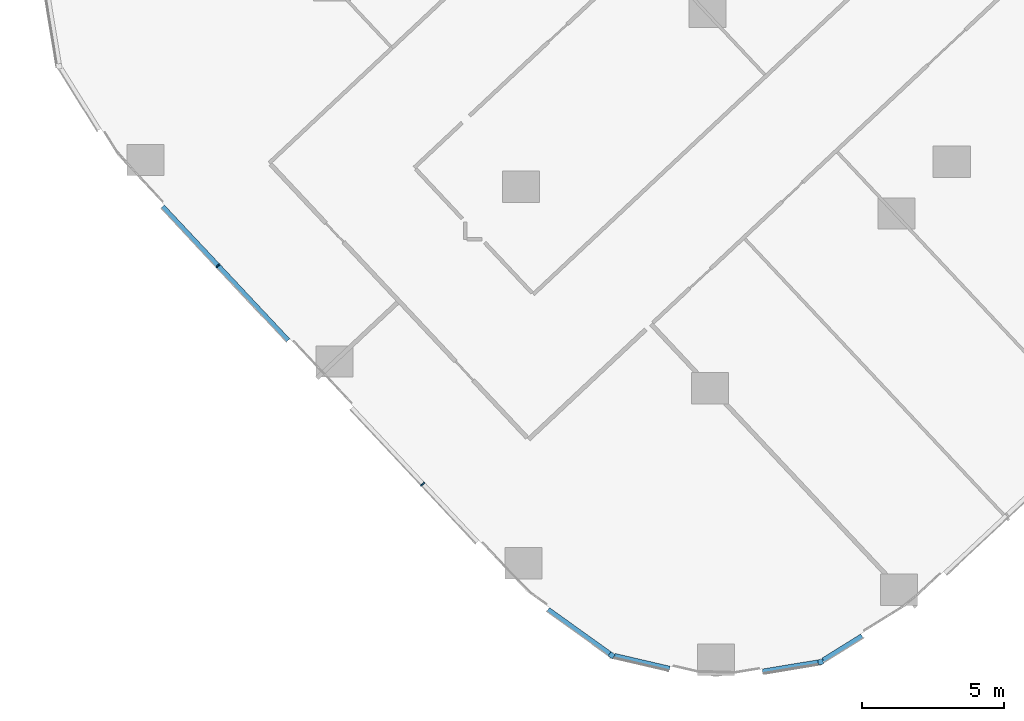
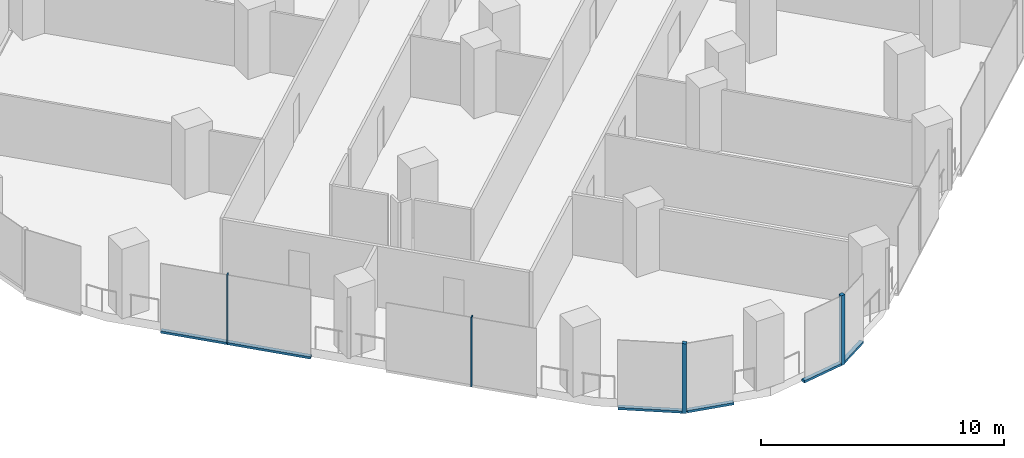
# One storey, part 2 of 34: 9 members, 5 elements without a shape of their own.
"""IFC4 building model written with IfcOpenShell, lengths in metres."""

from ifc_helpers import new_model, si_unit, direction, frame, origin, origin_2d, place, context, subcontext, project, spatial, rectangle, extrude, material, material_profile, profile_set, type_object, element, aggregate, save


model = new_model("IFC4")

# Units and contexts
model_context = context("Model", 3, precision=1e-05, world=origin(), true_north=direction((0.0, 1.0)))
body_context = subcontext(model_context, "Body", "Model", "MODEL_VIEW")
ifc_project = project(units=[si_unit("LENGTHUNIT", "METRE"), si_unit("AREAUNIT", "SQUARE_METRE"), si_unit("VOLUMEUNIT", "CUBIC_METRE"), si_unit("PLANEANGLEUNIT", "RADIAN"), si_unit("MASSUNIT", "GRAM", prefix="KILO")], contexts=[model_context])

# Site, building, storey
site_placement = place(None, origin())
site = spatial("IfcSite", under=ifc_project, at=site_placement, CompositionType="ELEMENT")
building_placement = place(site_placement, origin())
building = spatial("IfcBuilding", under=site, at=building_placement, Name="Orlundy Tower", CompositionType="ELEMENT")
storey_placement = place(building_placement, frame((0.0, 0.0, 37.300048828125)))
storey = spatial("IfcBuildingStorey", under=building, at=storey_placement, Name="L07", CompositionType="ELEMENT", Elevation=37.300048828125)

# Curtain wall, member
ifc_material_1 = material(Name="Aluminium bronze anodised", Category="aluminium")
curtain_wall_type = type_object("IfcCurtainWallType", Name="CW1 wall", PredefinedType="NOTDEFINED", material=ifc_material_1)
curtain_wall_1_placement = place(storey_placement, origin())
curtain_wall_1 = element("IfcCurtainWall", 1, at=curtain_wall_1_placement, inside=storey, type_object=curtain_wall_type, Name="CW1 run 020", PredefinedType="NOTDEFINED")
ifc_material_2 = material(Name="Aluminium bronze anodised", Category="aluminium")
ifc_material_profile_1 = material_profile(ifc_material_2, rectangle(XDim=0.179931640625, YDim=0.179931640625, at=origin_2d()), Name="CW1 corner post 180x180")
ifc_profile_set_1 = profile_set([ifc_material_profile_1], Name="Aluminium bronze anodised")
member_type_1 = type_object("IfcMemberType", Name="CW1 corner post 180x180", PredefinedType="MULLION", material=ifc_profile_set_1)
member_1_placement = place(storey_placement, frame((-26.629638671875, -51.52294921875, -0.420166015625), z_axis=(0.0, 0.0, 1.0), x_axis=(0.163786370223, -0.986495831177, 0.0)))
member_1 = element("IfcMember", 2, at=member_1_placement, type_object=member_type_1, Name="CW1 mullion 58", PredefinedType="MULLION", context=body_context, shape_type="SweptSolid", body=[
    extrude(rectangle(XDim=0.179931640625, YDim=0.179931640625, at=origin_2d()), origin(), (0.0, 0.0, 1.0), 3.5),
])

curtain_wall_2_placement = place(storey_placement, origin())
curtain_wall_2 = element("IfcCurtainWall", 3, at=curtain_wall_2_placement, inside=storey, type_object=curtain_wall_type, Name="CW1 run 022", PredefinedType="NOTDEFINED")
member_2_placement = place(storey_placement, frame((-33.966796875, -51.28857421875, -0.420166015625), z_axis=(0.0, 0.0, 1.0), x_axis=(-0.58197810512, -0.813204454711, 0.0)))
member_2 = element("IfcMember", 4, at=member_2_placement, type_object=member_type_1, Name="CW1 mullion 60", PredefinedType="MULLION", context=body_context, shape_type="SweptSolid", body=[
    extrude(rectangle(XDim=0.179931640625, YDim=0.179931640625, at=origin_2d()), origin(), (0.0, 0.0, 1.0), 3.5),
])

# Curtain wall, members
curtain_wall_3_placement = place(storey_placement, origin())
curtain_wall_3 = element("IfcCurtainWall", 5, at=curtain_wall_3_placement, inside=storey, type_object=curtain_wall_type, Name="CW1 run 023", PredefinedType="NOTDEFINED")
ifc_material_3 = material(Name="Aluminium bronze anodised", Category="aluminium")
ifc_material_profile_2 = material_profile(ifc_material_3, rectangle(XDim=0.179931640625, YDim=0.050048828125, at=origin_2d()), Name="CW1 mullion 50x180")
ifc_profile_set_2 = profile_set([ifc_material_profile_2], Name="Aluminium bronze anodised")
member_type_2 = type_object("IfcMemberType", Name="CW1 mullion 50x180", PredefinedType="MULLION", material=ifc_profile_set_2)
member_3_placement = place(storey_placement, frame((-40.600341796875, -45.2802734375, -0.420166015625), z_axis=(0.0, 0.0, 1.0), x_axis=(-0.729363439598, -0.684126430551, 0.0)))
member_3 = element("IfcMember", 6, at=member_3_placement, type_object=member_type_2, Name="CW1 mullion 62", PredefinedType="MULLION", context=body_context, shape_type="SweptSolid", body=[
    extrude(rectangle(XDim=0.179931640625, YDim=0.050048828125, at=origin_2d()), origin(), (0.0, 0.0, 1.0), 3.5),
])
member_4_placement = place(storey_placement, frame((-47.783935546875, -37.621826171875, -0.420166015625), z_axis=(0.0, 0.0, 1.0), x_axis=(-0.729363439598, -0.684126430551, 0.0)))
member_4 = element("IfcMember", 7, at=member_4_placement, type_object=member_type_2, Name="CW1 mullion 64", PredefinedType="MULLION", context=body_context, shape_type="SweptSolid", body=[
    extrude(rectangle(XDim=0.179931640625, YDim=0.050048828125, at=origin_2d()), origin(), (0.0, 0.0, 1.0), 3.5),
])

# Curtain wall, member
curtain_wall_4_placement = place(storey_placement, origin())
curtain_wall_4 = element("IfcCurtainWall", 8, at=curtain_wall_4_placement, inside=storey, type_object=curtain_wall_type, Name="CW1 run 019", PredefinedType="NOTDEFINED")
ifc_material_4 = material(Name="Aluminium bronze anodised", Category="aluminium")
ifc_material_profile_3 = material_profile(ifc_material_4, rectangle(XDim=0.179931640625, YDim=0.1201171875, at=origin_2d()), Name="CW1 transom 180x120")
ifc_profile_set_3 = profile_set([ifc_material_profile_3], Name="Aluminium bronze anodised")
member_type_3 = type_object("IfcMemberType", Name="CW1 transom 180x120", PredefinedType="USERDEFINED", material=ifc_profile_set_3)
member_5_placement = place(storey_placement, frame((-25.176025390625, -50.6181640625, -0.360107421875), z_axis=(-0.848973701162, -0.528435099833, 0.0), x_axis=(0.528435099833, -0.848973701162, 0.0)))
member_5 = element("IfcMember", 9, at=member_5_placement, type_object=member_type_3, Name="CW1 transom", ObjectType="TRANSOM", PredefinedType="USERDEFINED", context=body_context, shape_type="SweptSolid", body=[
    extrude(rectangle(XDim=0.179931640625, YDim=0.1201171875, at=origin_2d()), origin(), (0.0, 0.0, 1.0), 1.61474609375),
])
aggregate(curtain_wall_4, [member_5])

# Member
member_6_placement = place(storey_placement, frame((-26.718505859375, -51.53759765625, -0.360107421875), z_axis=(-0.986500684658, -0.163757134715, 0.0), x_axis=(0.163757134715, -0.986500684658, 0.0)))
member_6 = element("IfcMember", 10, at=member_6_placement, type_object=member_type_3, Name="CW1 transom", ObjectType="TRANSOM", PredefinedType="USERDEFINED", context=body_context, shape_type="SweptSolid", body=[
    extrude(rectangle(XDim=0.179931640625, YDim=0.1201171875, at=origin_2d()), origin(), (0.0, 0.0, 1.0), 1.973876953125),
])

aggregate(curtain_wall_1, [member_1, member_6])

# Curtain wall, member
curtain_wall_5_placement = place(storey_placement, origin())
curtain_wall_5 = element("IfcCurtainWall", 11, at=curtain_wall_5_placement, inside=storey, type_object=curtain_wall_type, Name="CW1 run 021", PredefinedType="NOTDEFINED")
member_7_placement = place(storey_placement, frame((-31.93212890625, -51.76123046875, -0.360107421875), z_axis=(-0.974053298316, 0.226318739923, 0.0), x_axis=(-0.226318739923, -0.974053298316, 0.0)))
member_7 = element("IfcMember", 12, at=member_7_placement, type_object=member_type_3, Name="CW1 transom", ObjectType="TRANSOM", PredefinedType="USERDEFINED", context=body_context, shape_type="SweptSolid", body=[
    extrude(rectangle(XDim=0.179931640625, YDim=0.1201171875, at=origin_2d()), origin(), (0.0, 0.0, 1.0), 1.991455078125),
])
aggregate(curtain_wall_5, [member_7])

# Member
member_8_placement = place(storey_placement, frame((-34.0400390625, -51.236328125, -0.360107421875), z_axis=(-0.81319273352, 0.581994482921, 0.0), x_axis=(-0.581994482921, -0.81319273352, 0.0)))
member_8 = element("IfcMember", 13, at=member_8_placement, type_object=member_type_3, Name="CW1 transom", ObjectType="TRANSOM", PredefinedType="USERDEFINED", context=body_context, shape_type="SweptSolid", body=[
    extrude(rectangle(XDim=0.179931640625, YDim=0.1201171875, at=origin_2d()), origin(), (0.0, 0.0, 1.0), 2.65576171875),
])

aggregate(curtain_wall_2, [member_2, member_8])

member_9_placement = place(storey_placement, frame((-45.326904296875, -40.2412109375, -0.360107421875), z_axis=(-0.684127772438, 0.729362180935, 0.0), x_axis=(-0.729362180935, -0.684127772438, 0.0)))
member_9 = element("IfcMember", 14, at=member_9_placement, type_object=member_type_3, Name="CW1 transom", ObjectType="TRANSOM", PredefinedType="USERDEFINED", context=body_context, shape_type="SweptSolid", body=[
    extrude(rectangle(XDim=0.179931640625, YDim=0.1201171875, at=origin_2d()), origin(), (0.0, 0.0, 1.0), 6.43896484375),
])

aggregate(curtain_wall_3, [member_3, member_4, member_9])

save(model, "model.ifc")
